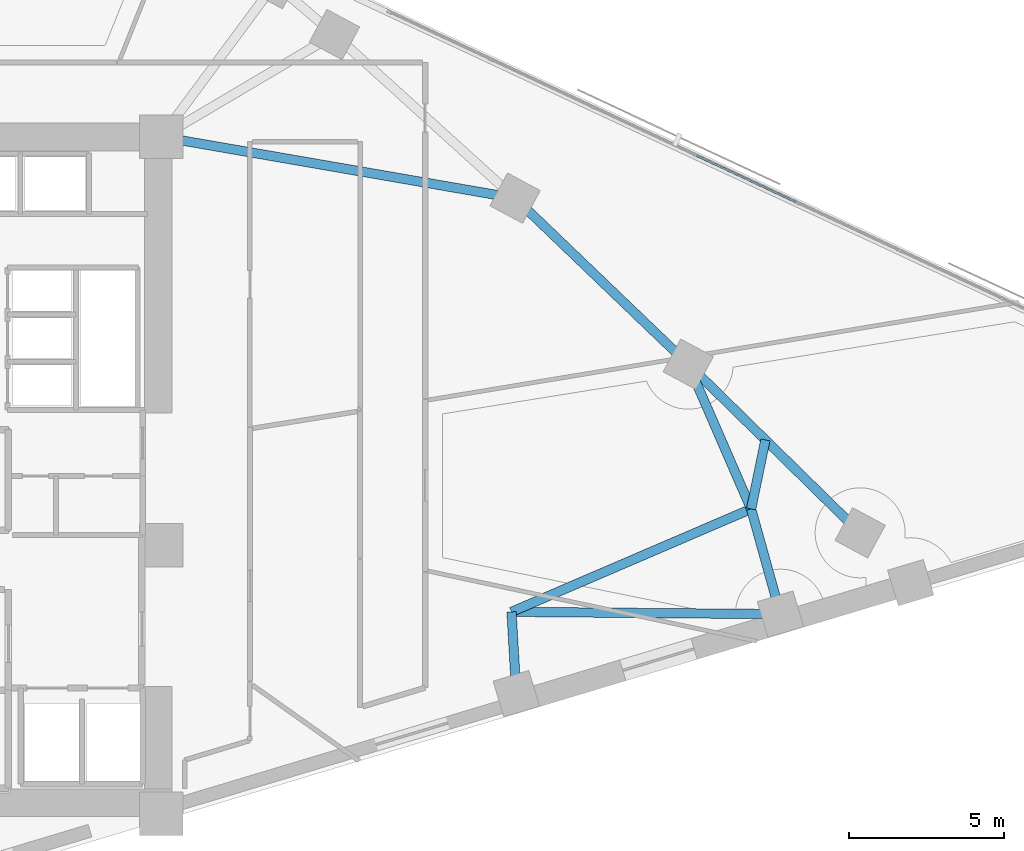
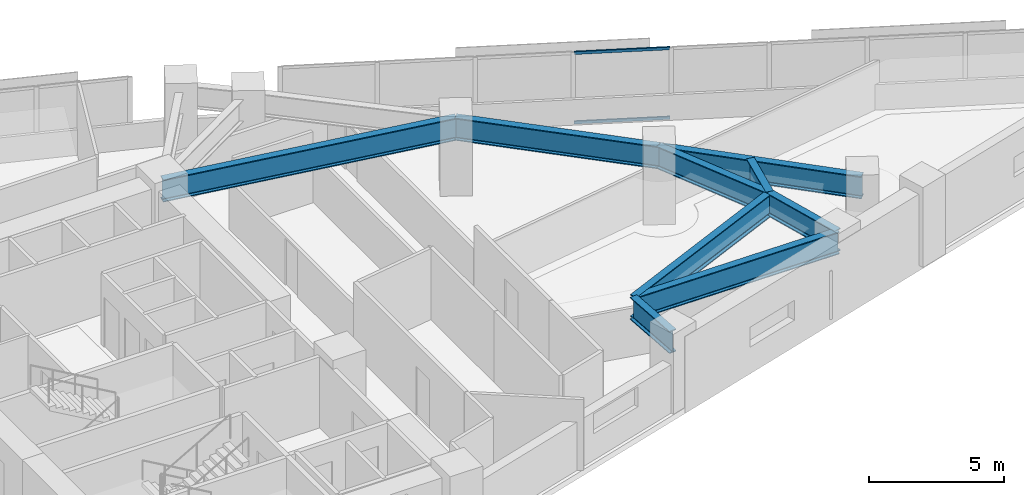
# One storey, part 3 of 14: 9 beams, 2 members, 1 element without a shape of its own.
"""IFC4 building model written with IfcOpenShell, lengths in metres."""

from ifc_helpers import new_model, si_unit, direction, frame, origin, origin_2d, place, context, subcontext, project, spatial, hollow_rectangle, i_section, extrude, material, material_profile, profile_set, type_object, element, aggregate, save


model = new_model("IFC4")

# Units and contexts
model_context = context("Model", 3, precision=1e-05, world=origin(), true_north=direction((0.0, 1.0)))
body_context = subcontext(model_context, "Body", "Model", "MODEL_VIEW")
ifc_project = project(units=[si_unit("LENGTHUNIT", "METRE"), si_unit("AREAUNIT", "SQUARE_METRE"), si_unit("VOLUMEUNIT", "CUBIC_METRE"), si_unit("PLANEANGLEUNIT", "RADIAN"), si_unit("MASSUNIT", "GRAM", prefix="KILO")], contexts=[model_context])

# Site, building, storey
site_placement = place(None, origin())
site = spatial("IfcSite", under=ifc_project, at=site_placement, CompositionType="ELEMENT")
building_placement = place(site_placement, origin())
building = spatial("IfcBuilding", under=site, at=building_placement, Name="Narakoshi Arena Tower", CompositionType="ELEMENT")
storey_placement = place(building_placement, frame((0.0, 0.0, 161.10009765625)))
storey = spatial("IfcBuildingStorey", under=building, at=storey_placement, Name="L43", CompositionType="ELEMENT", Elevation=161.10009765625)

# Beams
ifc_material_1 = material(Name="Structural steel S460ML", Category="steel")
ifc_material_profile_1 = material_profile(ifc_material_1, i_section(OverallWidth=0.302001953125, OverallDepth=1.008056640625, WebThickness=0.02099609375, FlangeThickness=0.0400390625, FilletRadius=0.030029296875, at=origin_2d()), Name="HE1000M")
ifc_profile_set_1 = profile_set([ifc_material_profile_1], Name="Structural steel S460ML")
beam_type = type_object("IfcBeamType", Name="BM-XFER-1000", PredefinedType="BEAM", material=ifc_profile_set_1)
beam_1_placement = place(storey_placement, frame((85.550048828125, 56.5, 2.69580078125), z_axis=(0.985352893735, -0.170527636492, 0.0), x_axis=(0.170527636492, 0.985352893735, 0.0)))
element("IfcBeam", 1, at=beam_1_placement, inside=storey, type_object=beam_type, Name="L43 Lower Transfer Radial Girder 06", PredefinedType="BEAM", context=body_context, shape_type="SweptSolid", body=[
    extrude(i_section(OverallWidth=0.302001953125, OverallDepth=1.008056640625, WebThickness=0.02099609375, FlangeThickness=0.0400390625, FilletRadius=0.030029296875, at=origin_2d()), origin(), (0.0, 0.0, 1.0), 11.563720703125),
])
beam_2_placement = place(storey_placement, frame((96.984619140625, 38.565185546875, 2.69580078125), z_axis=(-0.058548515631, 0.998284564299, 0.0), x_axis=(-0.998284564299, -0.058548515631, 0.0)))
element("IfcBeam", 2, at=beam_2_placement, inside=storey, type_object=beam_type, Name="L43 Block-Turn Transfer Node Girder 01-1", PredefinedType="BEAM", context=body_context, shape_type="SweptSolid", body=[
    extrude(i_section(OverallWidth=0.302001953125, OverallDepth=1.008056640625, WebThickness=0.02099609375, FlangeThickness=0.0400390625, FilletRadius=0.030029296875, at=origin_2d()), origin(), (0.0, 0.0, 1.0), 2.6396484375),
])
beam_3_placement = place(storey_placement, frame((105.49365234375, 41.126220703125, 2.69580078125), z_axis=(-0.999963548331, 0.008538267349, 0.0), x_axis=(-0.008538267349, -0.999963548331, 0.0)))
element("IfcBeam", 3, at=beam_3_placement, inside=storey, type_object=beam_type, Name="L43 Block-Turn Transfer Node Girder 01-2", PredefinedType="BEAM", context=body_context, shape_type="SweptSolid", body=[
    extrude(i_section(OverallWidth=0.302001953125, OverallDepth=1.008056640625, WebThickness=0.02099609375, FlangeThickness=0.0400390625, FilletRadius=0.030029296875, at=origin_2d()), origin(), (0.0, 0.0, 1.0), 8.663818359375),
])
beam_4_placement = place(storey_placement, frame((105.49365234375, 41.126220703125, 2.69580078125), z_axis=(-0.268319998331, 0.96332983889, 0.0), x_axis=(-0.96332983889, -0.268319998331, 0.0)))
element("IfcBeam", 4, at=beam_4_placement, inside=storey, type_object=beam_type, Name="L43 Block-Turn Transfer Node Girder 02-1", PredefinedType="BEAM", context=body_context, shape_type="SweptSolid", body=[
    extrude(i_section(OverallWidth=0.302001953125, OverallDepth=1.008056640625, WebThickness=0.02099609375, FlangeThickness=0.0400390625, FilletRadius=0.030029296875, at=origin_2d()), origin(), (0.0, 0.0, 1.0), 3.51953125),
])
beam_5_placement = place(storey_placement, frame((102.522216796875, 49.17919921875, 2.69580078125), z_axis=(0.398706796603, -0.917078453755, 0.0), x_axis=(0.917078453755, 0.398706796603, 0.0)))
element("IfcBeam", 5, at=beam_5_placement, inside=storey, type_object=beam_type, Name="L43 Block-Turn Transfer Node Girder 02-2", PredefinedType="BEAM", context=body_context, shape_type="SweptSolid", body=[
    extrude(i_section(OverallWidth=0.302001953125, OverallDepth=1.008056640625, WebThickness=0.02099609375, FlangeThickness=0.0400390625, FilletRadius=0.030029296875, at=origin_2d()), origin(), (0.0, 0.0, 1.0), 5.084228515625),
])
beam_6_placement = place(storey_placement, frame((102.522216796875, 49.17919921875, 2.69580078125), z_axis=(0.713870487965, -0.700277749477, 0.0), x_axis=(0.700277749477, 0.713870487965, 0.0)))
element("IfcBeam", 6, at=beam_6_placement, inside=storey, type_object=beam_type, Name="L43 Block-Turn Transfer Chord Girder 03", PredefinedType="BEAM", context=body_context, shape_type="SweptSolid", body=[
    extrude(i_section(OverallWidth=0.302001953125, OverallDepth=1.008056640625, WebThickness=0.02099609375, FlangeThickness=0.0400390625, FilletRadius=0.030029296875, at=origin_2d()), origin(), (0.0, 0.0, 1.0), 7.75927734375),
])
beam_7_placement = place(storey_placement, frame((102.522216796875, 49.17919921875, 2.69580078125), z_axis=(-0.721767886663, 0.692135187504, 0.0), x_axis=(-0.692135187504, -0.721767886663, 0.0)))
element("IfcBeam", 7, at=beam_7_placement, inside=storey, type_object=beam_type, Name="L43 Block-Turn Transfer Chord Girder 04", PredefinedType="BEAM", context=body_context, shape_type="SweptSolid", body=[
    extrude(i_section(OverallWidth=0.302001953125, OverallDepth=1.008056640625, WebThickness=0.02099609375, FlangeThickness=0.0400390625, FilletRadius=0.030029296875, at=origin_2d()), origin(), (0.0, 0.0, 1.0), 7.72802734375),
])
beam_8_placement = place(storey_placement, frame((96.830078125, 41.2001953125, 2.69580078125), z_axis=(0.918792947441, 0.394739812703, 0.0), x_axis=(-0.394739812703, 0.918792947441, 0.0)))
element("IfcBeam", 8, at=beam_8_placement, inside=storey, type_object=beam_type, Name="L43 Upper-Block Transfer Ring Girder 01", PredefinedType="BEAM", context=body_context, shape_type="SweptSolid", body=[
    extrude(i_section(OverallWidth=0.302001953125, OverallDepth=1.008056640625, WebThickness=0.02099609375, FlangeThickness=0.0400390625, FilletRadius=0.030029296875, at=origin_2d()), origin(), (0.0, 0.0, 1.0), 8.401611328125),
])
beam_9_placement = place(storey_placement, frame((104.54931640625, 44.5166015625, 2.69580078125), z_axis=(0.203000450605, 0.979178644096, 0.0), x_axis=(-0.979178644096, 0.203000450605, 0.0)))
element("IfcBeam", 9, at=beam_9_placement, inside=storey, type_object=beam_type, Name="L43 Upper-Block Transfer Ring Girder 02", PredefinedType="BEAM", context=body_context, shape_type="SweptSolid", body=[
    extrude(i_section(OverallWidth=0.302001953125, OverallDepth=1.008056640625, WebThickness=0.02099609375, FlangeThickness=0.0400390625, FilletRadius=0.030029296875, at=origin_2d()), origin(), (0.0, 0.0, 1.0), 2.26953125),
])

# Curtain wall, members
ifc_material_2 = material(Name="Anodised bronze aluminium 6063-T6", Category="aluminium")
curtain_wall_type = type_object("IfcCurtainWallType", Name="CW-HYP-MID", PredefinedType="NOTDEFINED", material=ifc_material_2)
curtain_wall_placement = place(storey_placement, origin())
curtain_wall = element("IfcCurtainWall", 10, at=curtain_wall_placement, inside=storey, type_object=curtain_wall_type, Name="L43 Folded Hypotenuse Curtain Wall 1-1", PredefinedType="NOTDEFINED")
ifc_material_profile_2 = material_profile(ifc_material_2, hollow_rectangle(XDim=0.06494140625, YDim=0.1298828125, WallThickness=0.00390625, OuterFilletRadius=0.0048828125, at=origin_2d()), Name="TRN130x65x4")
ifc_profile_set_2 = profile_set([ifc_material_profile_2], Name="Anodised bronze aluminium 6063-T6")
member_type = type_object("IfcMemberType", Name="MEM-TRN-130", PredefinedType="USERDEFINED", material=ifc_profile_set_2)
member_1_placement = place(storey_placement, frame((106.008056640625, 54.39404296875, 0.032470703125), z_axis=(-0.905863892755, 0.42356889381, 0.0), x_axis=(-0.42356889381, -0.905863892755, 0.0)))
member_1 = element("IfcMember", 11, at=member_1_placement, type_object=member_type, Name="CW-02 transom 5.1", ObjectType="TRANSOM", PredefinedType="USERDEFINED", context=body_context, shape_type="SweptSolid", body=[
    extrude(hollow_rectangle(XDim=0.06494140625, YDim=0.1298828125, WallThickness=0.00390625, OuterFilletRadius=0.0048828125, at=origin_2d()), origin(), (0.0, 0.0, 1.0), 3.55859375),
])
member_2_placement = place(storey_placement, frame((106.008056640625, 54.39404296875, 3.16748046875), z_axis=(-0.905863892755, 0.42356889381, 0.0), x_axis=(-0.42356889381, -0.905863892755, 0.0)))
member_2 = element("IfcMember", 12, at=member_2_placement, type_object=member_type, Name="CW-02 transom 5.2", ObjectType="TRANSOM", PredefinedType="USERDEFINED", context=body_context, shape_type="SweptSolid", body=[
    extrude(hollow_rectangle(XDim=0.06494140625, YDim=0.1298828125, WallThickness=0.00390625, OuterFilletRadius=0.0048828125, at=origin_2d()), origin(), (0.0, 0.0, 1.0), 3.55859375),
])
aggregate(curtain_wall, [member_1, member_2])

save(model, "model.ifc")
